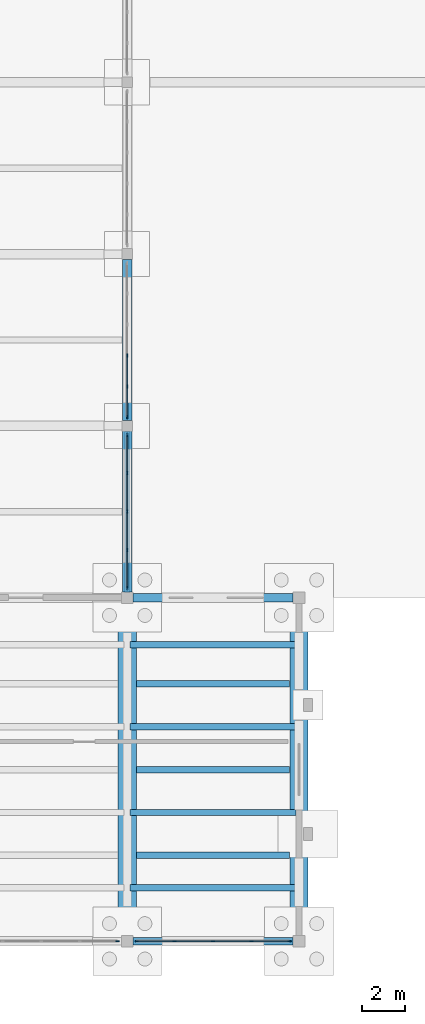
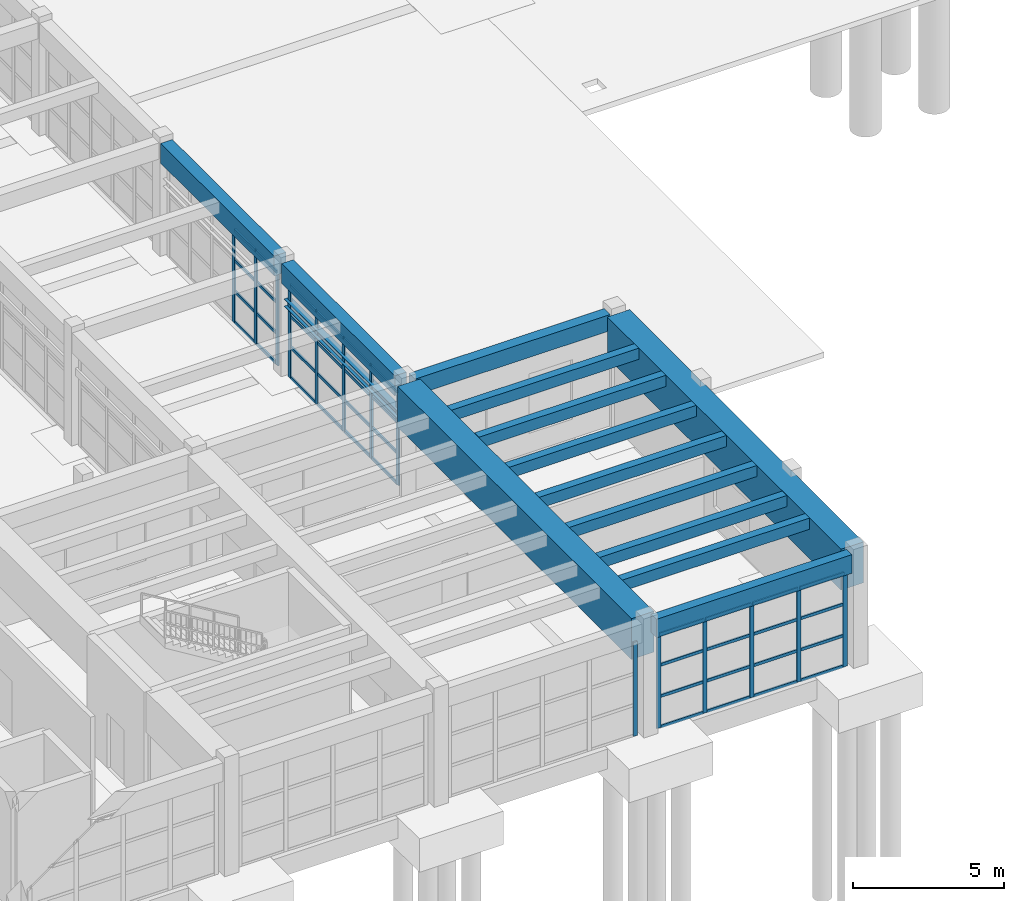
# One storey, part 30 of 68: 54 members, 14 beams, 4 elements without a shape of their own.
"""IFC4 building model written with IfcOpenShell, lengths in metres."""

from ifc_helpers import new_model, si_unit, direction, frame, origin, origin_2d, place, context, subcontext, project, spatial, rectangle, i_section, extrude, material, material_profile, profile_set, type_object, element, aggregate, save


model = new_model("IFC4")

# Units and contexts
model_context = context("Model", 3, precision=1e-05, world=origin(), true_north=direction((0.0, 1.0)))
body_context = subcontext(model_context, "Body", "Model", "MODEL_VIEW")
ifc_project = project(units=[si_unit("LENGTHUNIT", "METRE"), si_unit("AREAUNIT", "SQUARE_METRE"), si_unit("VOLUMEUNIT", "CUBIC_METRE"), si_unit("PLANEANGLEUNIT", "RADIAN"), si_unit("MASSUNIT", "GRAM", prefix="KILO")], contexts=[model_context])

# Site, building, storey
site_placement = place(None, origin())
site = spatial("IfcSite", under=ifc_project, at=site_placement, CompositionType="ELEMENT")
building_placement = place(site_placement, origin())
building = spatial("IfcBuilding", under=site, at=building_placement, Name="Serraluz Foothill Cableway Terminal", CompositionType="ELEMENT")
storey_placement = place(building_placement, origin())
storey = spatial("IfcBuildingStorey", under=building, at=storey_placement, Name="L00", CompositionType="ELEMENT", Elevation=0.0)

# Beams
ifc_material_1 = material(Name="Concrete C28/35 (f'c 28 MPa)", Category="concrete")
ifc_material_profile_1 = material_profile(ifc_material_1, rectangle(XDim=0.39990234375, YDim=0.64990234375, at=origin_2d()), Name="RC 400x650")
ifc_profile_set_1 = profile_set([ifc_material_profile_1], Name="Concrete C28/35 (f'c 28 MPa)")
beam_type_1 = type_object("IfcBeamType", Name="TYP-BM-RC400X650", PredefinedType="BEAM", material=ifc_profile_set_1)
beam_1_placement = place(storey_placement, frame((128.27099609375, 16.0, 4.215087890625), z_axis=(1.0, 0.0, 0.0), x_axis=(0.0, 1.0, 0.0)))
element("IfcBeam", 1, at=beam_1_placement, inside=storey, type_object=beam_type_1, Name="Primary Girder BM-X-L00-0047", PredefinedType="BEAM", context=body_context, shape_type="SweptSolid", body=[
    extrude(rectangle(XDim=0.39990234375, YDim=0.64990234375, at=origin_2d()), origin(), (0.0, 0.0, 1.0), 7.4580078125),
])
ifc_material_2 = material(Name="Concrete C35/45 (f'c 35 MPa)", Category="concrete")
ifc_material_profile_2 = material_profile(ifc_material_2, rectangle(XDim=0.449951171875, YDim=0.800048828125, at=origin_2d()), Name="RC 450x800")
ifc_profile_set_2 = profile_set([ifc_material_profile_2], Name="Concrete C35/45 (f'c 35 MPa)")
beam_type_2 = type_object("IfcBeamType", Name="TYP-BM-RC450X800", PredefinedType="BEAM", material=ifc_profile_set_2)
beam_2_placement = place(storey_placement, frame((128.0, 16.27099609375, 4.159912109375), z_axis=(0.0, 1.0, 0.0), x_axis=(-1.0, 0.0, 0.0)))
element("IfcBeam", 2, at=beam_2_placement, inside=storey, type_object=beam_type_2, Name="Transverse Girder BM-Y-L00-0164", PredefinedType="BEAM", context=body_context, shape_type="SweptSolid", body=[
    extrude(rectangle(XDim=0.449951171875, YDim=0.800048828125, at=origin_2d()), origin(), (0.0, 0.0, 1.0), 7.48291015625),
])
beam_3_placement = place(storey_placement, frame((128.0, 24.24609375, 4.159912109375), z_axis=(0.0, 1.0, 0.0), x_axis=(-1.0, 0.0, 0.0)))
element("IfcBeam", 3, at=beam_3_placement, inside=storey, type_object=beam_type_2, Name="Transverse Girder BM-Y-L00-0165", PredefinedType="BEAM", context=body_context, shape_type="SweptSolid", body=[
    extrude(rectangle(XDim=0.449951171875, YDim=0.800048828125, at=origin_2d()), origin(), (0.0, 0.0, 1.0), 7.5078125),
])
ifc_material_profile_3 = material_profile(ifc_material_2, rectangle(XDim=0.85009765625, YDim=1.64990234375, at=origin_2d()), Name="RC TG 850x1650")
ifc_profile_set_3 = profile_set([ifc_material_profile_3], Name="Concrete C35/45 (f'c 35 MPa)")
beam_type_3 = type_object("IfcBeamType", Name="TYP-BM-RCTG1650", PredefinedType="BEAM", material=ifc_profile_set_3)
for number, where, z_axis, x_axis, name in (
    (4, (128.0, 0.27099609375, 3.715087890625), (0.0, 1.0, 0.0), (-1.0, 0.0, 0.0), "Transverse Girder BM-Y-L00-0163"),
    (5, (136.0, 0.27099609375, 3.715087890625), (0.0, 1.0, 0.0), (-1.0, 0.0, 0.0), "Transverse Girder BM-Y-L00-0170"),
):
    element("IfcBeam", number, at=place(storey_placement, frame(where, z_axis=z_axis, x_axis=x_axis)), inside=storey, type_object=beam_type_3, Name=name, PredefinedType="BEAM", context=body_context, shape_type="SweptSolid", body=[
        extrude(rectangle(XDim=0.85009765625, YDim=1.64990234375, at=origin_2d()), origin(), (0.0, 0.0, 1.0), 15.4580078125),
    ])

# Curtain wall, member
ifc_material_3 = material(Name="Architectural bronze alloy C28000", Category="aluminium")
curtain_wall_type_1 = type_object("IfcCurtainWallType", Name="TYP-CW-440X360", PredefinedType="NOTDEFINED", material=ifc_material_3)
curtain_wall_1_placement = place(storey_placement, origin())
curtain_wall_1 = element("IfcCurtainWall", 6, at=curtain_wall_1_placement, inside=storey, type_object=curtain_wall_type_1, Name="Ribbed Glazed Curtain Wall CW-V3S-L00-120", PredefinedType="NOTDEFINED")
ifc_material_profile_4 = material_profile(ifc_material_3, rectangle(XDim=0.06005859375, YDim=0.159912109375, at=origin_2d()), Name="ALU MULLION 60x160")
ifc_profile_set_4 = profile_set([ifc_material_profile_4], Name="Architectural bronze alloy C28000")
member_type_1 = type_object("IfcMemberType", Name="TYP-CW-MUL-60X160", PredefinedType="MULLION", material=ifc_profile_set_4)
member_1_placement = place(storey_placement, frame((127.554931640625, 0.0, 0.0), z_axis=(0.0, 0.0, 1.0), x_axis=(0.0, -1.0, 0.0)))
member_1 = element("IfcMember", 7, at=member_1_placement, type_object=member_type_1, Name="CW-16 mullion 1", PredefinedType="MULLION", context=body_context, shape_type="SweptSolid", body=[
    extrude(rectangle(XDim=0.06005859375, YDim=0.159912109375, at=origin_2d()), origin(), (0.0, 0.0, 1.0), 3.7900390625),
])
aggregate(curtain_wall_1, [member_1])

# Curtain wall, members
curtain_wall_type_2 = type_object("IfcCurtainWallType", Name="TYP-CW-380X420", PredefinedType="NOTDEFINED", material=ifc_material_3)
curtain_wall_2_placement = place(storey_placement, origin())
curtain_wall_2 = element("IfcCurtainWall", 8, at=curtain_wall_2_placement, inside=storey, type_object=curtain_wall_type_2, Name="Ribbed Glazed Curtain Wall CW-V3S-L00-128", PredefinedType="NOTDEFINED")
member_2_placement = place(storey_placement, frame((135.554931640625, 0.0, 0.0), z_axis=(0.0, 0.0, 1.0), x_axis=(0.0, -1.0, 0.0)))
member_2 = element("IfcMember", 9, at=member_2_placement, type_object=member_type_1, Name="CW-17 mullion 1", PredefinedType="MULLION", context=body_context, shape_type="SweptSolid", body=[
    extrude(rectangle(XDim=0.06005859375, YDim=0.159912109375, at=origin_2d()), origin(), (0.0, 0.0, 1.0), 3.7900390625),
])
member_3_placement = place(storey_placement, frame((133.79248046875, 0.0, 0.0), z_axis=(0.0, 0.0, 1.0), x_axis=(0.0, -1.0, 0.0)))
member_3 = element("IfcMember", 10, at=member_3_placement, type_object=member_type_1, Name="CW-17 mullion 2", PredefinedType="MULLION", context=body_context, shape_type="SweptSolid", body=[
    extrude(rectangle(XDim=0.06005859375, YDim=0.159912109375, at=origin_2d()), origin(), (0.0, 0.0, 1.0), 3.7900390625),
])
member_4_placement = place(storey_placement, frame((132.0, 0.0, 0.0), z_axis=(0.0, 0.0, 1.0), x_axis=(0.0, -1.0, 0.0)))
member_4 = element("IfcMember", 11, at=member_4_placement, type_object=member_type_1, Name="CW-17 mullion 3", PredefinedType="MULLION", context=body_context, shape_type="SweptSolid", body=[
    extrude(rectangle(XDim=0.06005859375, YDim=0.159912109375, at=origin_2d()), origin(), (0.0, 0.0, 1.0), 3.7900390625),
])
member_5_placement = place(storey_placement, frame((130.20751953125, 0.0, 0.0), z_axis=(0.0, 0.0, 1.0), x_axis=(0.0, -1.0, 0.0)))
member_5 = element("IfcMember", 12, at=member_5_placement, type_object=member_type_1, Name="CW-17 mullion 4", PredefinedType="MULLION", context=body_context, shape_type="SweptSolid", body=[
    extrude(rectangle(XDim=0.06005859375, YDim=0.159912109375, at=origin_2d()), origin(), (0.0, 0.0, 1.0), 3.7900390625),
])
member_6_placement = place(storey_placement, frame((128.445068359375, 0.0, 0.0), z_axis=(0.0, 0.0, 1.0), x_axis=(0.0, -1.0, 0.0)))
member_6 = element("IfcMember", 13, at=member_6_placement, type_object=member_type_1, Name="CW-17 mullion 5", PredefinedType="MULLION", context=body_context, shape_type="SweptSolid", body=[
    extrude(rectangle(XDim=0.06005859375, YDim=0.159912109375, at=origin_2d()), origin(), (0.0, 0.0, 1.0), 3.7900390625),
])

curtain_wall_type_3 = type_object("IfcCurtainWallType", Name="TYP-CW-710X420", PredefinedType="NOTDEFINED", material=ifc_material_3)
curtain_wall_3_placement = place(storey_placement, origin())
curtain_wall_3 = element("IfcCurtainWall", 14, at=curtain_wall_3_placement, inside=storey, type_object=curtain_wall_type_3, Name="Ribbed Glazed Curtain Wall CW-CLE-L00-16", PredefinedType="NOTDEFINED")
member_7_placement = place(storey_placement, frame((128.0, 23.580078125, 0.0), z_axis=(0.0, 0.0, 1.0), x_axis=(1.0, 0.0, 0.0)))
member_7 = element("IfcMember", 15, at=member_7_placement, type_object=member_type_1, Name="CW-01 mullion 1", PredefinedType="MULLION", context=body_context, shape_type="SweptSolid", body=[
    extrude(rectangle(XDim=0.06005859375, YDim=0.159912109375, at=origin_2d()), origin(), (0.0, 0.0, 1.0), 3.760009765625),
])
member_8_placement = place(storey_placement, frame((128.0, 21.811279296875, 0.0), z_axis=(0.0, 0.0, 1.0), x_axis=(1.0, 0.0, 0.0)))
member_8 = element("IfcMember", 16, at=member_8_placement, type_object=member_type_1, Name="CW-01 mullion 2", PredefinedType="MULLION", context=body_context, shape_type="SweptSolid", body=[
    extrude(rectangle(XDim=0.06005859375, YDim=0.159912109375, at=origin_2d()), origin(), (0.0, 0.0, 1.0), 3.760009765625),
])
member_9_placement = place(storey_placement, frame((128.0, 20.012451171875, 0.0), z_axis=(0.0, 0.0, 1.0), x_axis=(1.0, 0.0, 0.0)))
member_9 = element("IfcMember", 17, at=member_9_placement, type_object=member_type_1, Name="CW-01 mullion 3", PredefinedType="MULLION", context=body_context, shape_type="SweptSolid", body=[
    extrude(rectangle(XDim=0.06005859375, YDim=0.159912109375, at=origin_2d()), origin(), (0.0, 0.0, 1.0), 3.760009765625),
])
member_10_placement = place(storey_placement, frame((128.0, 18.2138671875, 0.0), z_axis=(0.0, 0.0, 1.0), x_axis=(1.0, 0.0, 0.0)))
member_10 = element("IfcMember", 18, at=member_10_placement, type_object=member_type_1, Name="CW-01 mullion 4", PredefinedType="MULLION", context=body_context, shape_type="SweptSolid", body=[
    extrude(rectangle(XDim=0.06005859375, YDim=0.159912109375, at=origin_2d()), origin(), (0.0, 0.0, 1.0), 3.760009765625),
])
member_11_placement = place(storey_placement, frame((128.0, 16.445068359375, 0.0), z_axis=(0.0, 0.0, 1.0), x_axis=(1.0, 0.0, 0.0)))
member_11 = element("IfcMember", 19, at=member_11_placement, type_object=member_type_1, Name="CW-01 mullion 5", PredefinedType="MULLION", context=body_context, shape_type="SweptSolid", body=[
    extrude(rectangle(XDim=0.06005859375, YDim=0.159912109375, at=origin_2d()), origin(), (0.0, 0.0, 1.0), 3.760009765625),
])

curtain_wall_4_placement = place(storey_placement, origin())
curtain_wall_4 = element("IfcCurtainWall", 20, at=curtain_wall_4_placement, inside=storey, type_object=curtain_wall_type_3, Name="Ribbed Glazed Curtain Wall CW-CLE-L00-24", PredefinedType="NOTDEFINED")
member_12_placement = place(storey_placement, frame((128.0, 27.278076171875, 0.0), z_axis=(0.0, 0.0, 1.0), x_axis=(1.0, 0.0, 0.0)))
member_12 = element("IfcMember", 21, at=member_12_placement, type_object=member_type_1, Name="CW-01 mullion 4", PredefinedType="MULLION", context=body_context, shape_type="SweptSolid", body=[
    extrude(rectangle(XDim=0.06005859375, YDim=0.159912109375, at=origin_2d()), origin(), (0.0, 0.0, 1.0), 3.760009765625),
])
member_13_placement = place(storey_placement, frame((128.0, 25.833984375, 0.0), z_axis=(0.0, 0.0, 1.0), x_axis=(1.0, 0.0, 0.0)))
member_13 = element("IfcMember", 22, at=member_13_placement, type_object=member_type_1, Name="CW-01 mullion 5", PredefinedType="MULLION", context=body_context, shape_type="SweptSolid", body=[
    extrude(rectangle(XDim=0.06005859375, YDim=0.159912109375, at=origin_2d()), origin(), (0.0, 0.0, 1.0), 3.760009765625),
])
member_14_placement = place(storey_placement, frame((128.0, 24.419921875, 0.0), z_axis=(0.0, 0.0, 1.0), x_axis=(1.0, 0.0, 0.0)))
member_14 = element("IfcMember", 23, at=member_14_placement, type_object=member_type_1, Name="CW-01 mullion 6", PredefinedType="MULLION", context=body_context, shape_type="SweptSolid", body=[
    extrude(rectangle(XDim=0.06005859375, YDim=0.159912109375, at=origin_2d()), origin(), (0.0, 0.0, 1.0), 3.760009765625),
])

# Member
ifc_material_profile_5 = material_profile(ifc_material_3, rectangle(XDim=0.06005859375, YDim=0.1201171875, at=origin_2d()), Name="ALU TRANSOM 60x120")
ifc_profile_set_5 = profile_set([ifc_material_profile_5], Name="Architectural bronze alloy C28000")
member_type_2 = type_object("IfcMemberType", Name="TYP-CW-TRN-60X120", PredefinedType="USERDEFINED", material=ifc_profile_set_5)
member_15_placement = place(storey_placement, frame((135.52490234375, 0.0, 0.030029296875), z_axis=(-1.0, 0.0, 0.0), x_axis=(0.0, -1.0, 0.0)))
member_15 = element("IfcMember", 24, at=member_15_placement, type_object=member_type_2, Name="CW-17 transom 1.1", ObjectType="TRANSOM", PredefinedType="USERDEFINED", context=body_context, shape_type="SweptSolid", body=[
    extrude(rectangle(XDim=0.06005859375, YDim=0.1201171875, at=origin_2d()), origin(), (0.0, 0.0, 1.0), 1.702392578125),
])

member_16_placement = place(storey_placement, frame((135.52490234375, 0.0, 1.26318359375), z_axis=(-1.0, 0.0, 0.0), x_axis=(0.0, -1.0, 0.0)))
member_16 = element("IfcMember", 25, at=member_16_placement, type_object=member_type_2, Name="CW-17 transom 1.2", ObjectType="TRANSOM", PredefinedType="USERDEFINED", context=body_context, shape_type="SweptSolid", body=[
    extrude(rectangle(XDim=0.06005859375, YDim=0.1201171875, at=origin_2d()), origin(), (0.0, 0.0, 1.0), 1.702392578125),
])

member_17_placement = place(storey_placement, frame((135.52490234375, 0.0, 2.526611328125), z_axis=(-1.0, 0.0, 0.0), x_axis=(0.0, -1.0, 0.0)))
member_17 = element("IfcMember", 26, at=member_17_placement, type_object=member_type_2, Name="CW-17 transom 1.3", ObjectType="TRANSOM", PredefinedType="USERDEFINED", context=body_context, shape_type="SweptSolid", body=[
    extrude(rectangle(XDim=0.06005859375, YDim=0.1201171875, at=origin_2d()), origin(), (0.0, 0.0, 1.0), 1.702392578125),
])

member_18_placement = place(storey_placement, frame((135.52490234375, 0.0, 3.760009765625), z_axis=(-1.0, 0.0, 0.0), x_axis=(0.0, -1.0, 0.0)))
member_18 = element("IfcMember", 27, at=member_18_placement, type_object=member_type_2, Name="CW-17 transom 1.4", ObjectType="TRANSOM", PredefinedType="USERDEFINED", context=body_context, shape_type="SweptSolid", body=[
    extrude(rectangle(XDim=0.06005859375, YDim=0.1201171875, at=origin_2d()), origin(), (0.0, 0.0, 1.0), 1.702392578125),
])

member_19_placement = place(storey_placement, frame((133.762451171875, 0.0, 0.030029296875), z_axis=(-1.0, 0.0, 0.0), x_axis=(0.0, -1.0, 0.0)))
member_19 = element("IfcMember", 28, at=member_19_placement, type_object=member_type_2, Name="CW-17 transom 2.1", ObjectType="TRANSOM", PredefinedType="USERDEFINED", context=body_context, shape_type="SweptSolid", body=[
    extrude(rectangle(XDim=0.06005859375, YDim=0.1201171875, at=origin_2d()), origin(), (0.0, 0.0, 1.0), 1.732421875),
])

member_20_placement = place(storey_placement, frame((133.762451171875, 0.0, 1.26318359375), z_axis=(-1.0, 0.0, 0.0), x_axis=(0.0, -1.0, 0.0)))
member_20 = element("IfcMember", 29, at=member_20_placement, type_object=member_type_2, Name="CW-17 transom 2.2", ObjectType="TRANSOM", PredefinedType="USERDEFINED", context=body_context, shape_type="SweptSolid", body=[
    extrude(rectangle(XDim=0.06005859375, YDim=0.1201171875, at=origin_2d()), origin(), (0.0, 0.0, 1.0), 1.732421875),
])

member_21_placement = place(storey_placement, frame((133.762451171875, 0.0, 2.526611328125), z_axis=(-1.0, 0.0, 0.0), x_axis=(0.0, -1.0, 0.0)))
member_21 = element("IfcMember", 30, at=member_21_placement, type_object=member_type_2, Name="CW-17 transom 2.3", ObjectType="TRANSOM", PredefinedType="USERDEFINED", context=body_context, shape_type="SweptSolid", body=[
    extrude(rectangle(XDim=0.06005859375, YDim=0.1201171875, at=origin_2d()), origin(), (0.0, 0.0, 1.0), 1.732421875),
])

member_22_placement = place(storey_placement, frame((133.762451171875, 0.0, 3.760009765625), z_axis=(-1.0, 0.0, 0.0), x_axis=(0.0, -1.0, 0.0)))
member_22 = element("IfcMember", 31, at=member_22_placement, type_object=member_type_2, Name="CW-17 transom 2.4", ObjectType="TRANSOM", PredefinedType="USERDEFINED", context=body_context, shape_type="SweptSolid", body=[
    extrude(rectangle(XDim=0.06005859375, YDim=0.1201171875, at=origin_2d()), origin(), (0.0, 0.0, 1.0), 1.732421875),
])

member_23_placement = place(storey_placement, frame((131.969970703125, 0.0, 0.030029296875), z_axis=(-1.0, 0.0, 0.0), x_axis=(0.0, -1.0, 0.0)))
member_23 = element("IfcMember", 32, at=member_23_placement, type_object=member_type_2, Name="CW-17 transom 3.1", ObjectType="TRANSOM", PredefinedType="USERDEFINED", context=body_context, shape_type="SweptSolid", body=[
    extrude(rectangle(XDim=0.06005859375, YDim=0.1201171875, at=origin_2d()), origin(), (0.0, 0.0, 1.0), 1.732421875),
])

member_24_placement = place(storey_placement, frame((131.969970703125, 0.0, 1.26318359375), z_axis=(-1.0, 0.0, 0.0), x_axis=(0.0, -1.0, 0.0)))
member_24 = element("IfcMember", 33, at=member_24_placement, type_object=member_type_2, Name="CW-17 transom 3.2", ObjectType="TRANSOM", PredefinedType="USERDEFINED", context=body_context, shape_type="SweptSolid", body=[
    extrude(rectangle(XDim=0.06005859375, YDim=0.1201171875, at=origin_2d()), origin(), (0.0, 0.0, 1.0), 1.732421875),
])

member_25_placement = place(storey_placement, frame((131.969970703125, 0.0, 2.526611328125), z_axis=(-1.0, 0.0, 0.0), x_axis=(0.0, -1.0, 0.0)))
member_25 = element("IfcMember", 34, at=member_25_placement, type_object=member_type_2, Name="CW-17 transom 3.3", ObjectType="TRANSOM", PredefinedType="USERDEFINED", context=body_context, shape_type="SweptSolid", body=[
    extrude(rectangle(XDim=0.06005859375, YDim=0.1201171875, at=origin_2d()), origin(), (0.0, 0.0, 1.0), 1.732421875),
])

member_26_placement = place(storey_placement, frame((131.969970703125, 0.0, 3.760009765625), z_axis=(-1.0, 0.0, 0.0), x_axis=(0.0, -1.0, 0.0)))
member_26 = element("IfcMember", 35, at=member_26_placement, type_object=member_type_2, Name="CW-17 transom 3.4", ObjectType="TRANSOM", PredefinedType="USERDEFINED", context=body_context, shape_type="SweptSolid", body=[
    extrude(rectangle(XDim=0.06005859375, YDim=0.1201171875, at=origin_2d()), origin(), (0.0, 0.0, 1.0), 1.732421875),
])

member_27_placement = place(storey_placement, frame((130.177490234375, 0.0, 0.030029296875), z_axis=(-1.0, 0.0, 0.0), x_axis=(0.0, -1.0, 0.0)))
member_27 = element("IfcMember", 36, at=member_27_placement, type_object=member_type_2, Name="CW-17 transom 4.1", ObjectType="TRANSOM", PredefinedType="USERDEFINED", context=body_context, shape_type="SweptSolid", body=[
    extrude(rectangle(XDim=0.06005859375, YDim=0.1201171875, at=origin_2d()), origin(), (0.0, 0.0, 1.0), 1.702392578125),
])

member_28_placement = place(storey_placement, frame((130.177490234375, 0.0, 1.26318359375), z_axis=(-1.0, 0.0, 0.0), x_axis=(0.0, -1.0, 0.0)))
member_28 = element("IfcMember", 37, at=member_28_placement, type_object=member_type_2, Name="CW-17 transom 4.2", ObjectType="TRANSOM", PredefinedType="USERDEFINED", context=body_context, shape_type="SweptSolid", body=[
    extrude(rectangle(XDim=0.06005859375, YDim=0.1201171875, at=origin_2d()), origin(), (0.0, 0.0, 1.0), 1.702392578125),
])

member_29_placement = place(storey_placement, frame((130.177490234375, 0.0, 2.526611328125), z_axis=(-1.0, 0.0, 0.0), x_axis=(0.0, -1.0, 0.0)))
member_29 = element("IfcMember", 38, at=member_29_placement, type_object=member_type_2, Name="CW-17 transom 4.3", ObjectType="TRANSOM", PredefinedType="USERDEFINED", context=body_context, shape_type="SweptSolid", body=[
    extrude(rectangle(XDim=0.06005859375, YDim=0.1201171875, at=origin_2d()), origin(), (0.0, 0.0, 1.0), 1.702392578125),
])

member_30_placement = place(storey_placement, frame((130.177490234375, 0.0, 3.760009765625), z_axis=(-1.0, 0.0, 0.0), x_axis=(0.0, -1.0, 0.0)))
member_30 = element("IfcMember", 39, at=member_30_placement, type_object=member_type_2, Name="CW-17 transom 4.4", ObjectType="TRANSOM", PredefinedType="USERDEFINED", context=body_context, shape_type="SweptSolid", body=[
    extrude(rectangle(XDim=0.06005859375, YDim=0.1201171875, at=origin_2d()), origin(), (0.0, 0.0, 1.0), 1.702392578125),
])

aggregate(curtain_wall_2, [member_2, member_3, member_4, member_5, member_6, member_15, member_16, member_17, member_18, member_19, member_20, member_21, member_22, member_23, member_24, member_25, member_26, member_27, member_28, member_29, member_30])

member_31_placement = place(storey_placement, frame((128.0, 23.550048828125, 0.030029296875), z_axis=(0.0, -1.0, 0.0), x_axis=(1.0, 0.0, 0.0)))
member_31 = element("IfcMember", 40, at=member_31_placement, type_object=member_type_2, Name="CW-01 transom 1.1", ObjectType="TRANSOM", PredefinedType="USERDEFINED", context=body_context, shape_type="SweptSolid", body=[
    extrude(rectangle(XDim=0.06005859375, YDim=0.1201171875, at=origin_2d()), origin(), (0.0, 0.0, 1.0), 1.708740234375),
])

member_32_placement = place(storey_placement, frame((128.0, 23.550048828125, 1.25341796875), z_axis=(0.0, -1.0, 0.0), x_axis=(1.0, 0.0, 0.0)))
member_32 = element("IfcMember", 41, at=member_32_placement, type_object=member_type_2, Name="CW-01 transom 1.2", ObjectType="TRANSOM", PredefinedType="USERDEFINED", context=body_context, shape_type="SweptSolid", body=[
    extrude(rectangle(XDim=0.06005859375, YDim=0.1201171875, at=origin_2d()), origin(), (0.0, 0.0, 1.0), 1.708740234375),
])

member_33_placement = place(storey_placement, frame((128.0, 23.550048828125, 2.506591796875), z_axis=(0.0, -1.0, 0.0), x_axis=(1.0, 0.0, 0.0)))
member_33 = element("IfcMember", 42, at=member_33_placement, type_object=member_type_2, Name="CW-01 transom 1.3", ObjectType="TRANSOM", PredefinedType="USERDEFINED", context=body_context, shape_type="SweptSolid", body=[
    extrude(rectangle(XDim=0.06005859375, YDim=0.1201171875, at=origin_2d()), origin(), (0.0, 0.0, 1.0), 1.708740234375),
])

member_34_placement = place(storey_placement, frame((128.0, 23.550048828125, 3.72998046875), z_axis=(0.0, -1.0, 0.0), x_axis=(1.0, 0.0, 0.0)))
member_34 = element("IfcMember", 43, at=member_34_placement, type_object=member_type_2, Name="CW-01 transom 1.4", ObjectType="TRANSOM", PredefinedType="USERDEFINED", context=body_context, shape_type="SweptSolid", body=[
    extrude(rectangle(XDim=0.06005859375, YDim=0.1201171875, at=origin_2d()), origin(), (0.0, 0.0, 1.0), 1.708740234375),
])

member_35_placement = place(storey_placement, frame((128.0, 21.78125, 0.030029296875), z_axis=(0.0, -1.0, 0.0), x_axis=(1.0, 0.0, 0.0)))
member_35 = element("IfcMember", 44, at=member_35_placement, type_object=member_type_2, Name="CW-01 transom 2.1", ObjectType="TRANSOM", PredefinedType="USERDEFINED", context=body_context, shape_type="SweptSolid", body=[
    extrude(rectangle(XDim=0.06005859375, YDim=0.1201171875, at=origin_2d()), origin(), (0.0, 0.0, 1.0), 1.73876953125),
])

member_36_placement = place(storey_placement, frame((128.0, 21.78125, 1.25341796875), z_axis=(0.0, -1.0, 0.0), x_axis=(1.0, 0.0, 0.0)))
member_36 = element("IfcMember", 45, at=member_36_placement, type_object=member_type_2, Name="CW-01 transom 2.2", ObjectType="TRANSOM", PredefinedType="USERDEFINED", context=body_context, shape_type="SweptSolid", body=[
    extrude(rectangle(XDim=0.06005859375, YDim=0.1201171875, at=origin_2d()), origin(), (0.0, 0.0, 1.0), 1.73876953125),
])

member_37_placement = place(storey_placement, frame((128.0, 21.78125, 2.506591796875), z_axis=(0.0, -1.0, 0.0), x_axis=(1.0, 0.0, 0.0)))
member_37 = element("IfcMember", 46, at=member_37_placement, type_object=member_type_2, Name="CW-01 transom 2.3", ObjectType="TRANSOM", PredefinedType="USERDEFINED", context=body_context, shape_type="SweptSolid", body=[
    extrude(rectangle(XDim=0.06005859375, YDim=0.1201171875, at=origin_2d()), origin(), (0.0, 0.0, 1.0), 1.73876953125),
])

member_38_placement = place(storey_placement, frame((128.0, 21.78125, 3.72998046875), z_axis=(0.0, -1.0, 0.0), x_axis=(1.0, 0.0, 0.0)))
member_38 = element("IfcMember", 47, at=member_38_placement, type_object=member_type_2, Name="CW-01 transom 2.4", ObjectType="TRANSOM", PredefinedType="USERDEFINED", context=body_context, shape_type="SweptSolid", body=[
    extrude(rectangle(XDim=0.06005859375, YDim=0.1201171875, at=origin_2d()), origin(), (0.0, 0.0, 1.0), 1.73876953125),
])

member_39_placement = place(storey_placement, frame((128.0, 19.982421875, 0.030029296875), z_axis=(0.0, -1.0, 0.0), x_axis=(1.0, 0.0, 0.0)))
member_39 = element("IfcMember", 48, at=member_39_placement, type_object=member_type_2, Name="CW-01 transom 3.1", ObjectType="TRANSOM", PredefinedType="USERDEFINED", context=body_context, shape_type="SweptSolid", body=[
    extrude(rectangle(XDim=0.06005859375, YDim=0.1201171875, at=origin_2d()), origin(), (0.0, 0.0, 1.0), 1.73876953125),
])

member_40_placement = place(storey_placement, frame((128.0, 19.982421875, 1.25341796875), z_axis=(0.0, -1.0, 0.0), x_axis=(1.0, 0.0, 0.0)))
member_40 = element("IfcMember", 49, at=member_40_placement, type_object=member_type_2, Name="CW-01 transom 3.2", ObjectType="TRANSOM", PredefinedType="USERDEFINED", context=body_context, shape_type="SweptSolid", body=[
    extrude(rectangle(XDim=0.06005859375, YDim=0.1201171875, at=origin_2d()), origin(), (0.0, 0.0, 1.0), 1.73876953125),
])

member_41_placement = place(storey_placement, frame((128.0, 19.982421875, 2.506591796875), z_axis=(0.0, -1.0, 0.0), x_axis=(1.0, 0.0, 0.0)))
member_41 = element("IfcMember", 50, at=member_41_placement, type_object=member_type_2, Name="CW-01 transom 3.3", ObjectType="TRANSOM", PredefinedType="USERDEFINED", context=body_context, shape_type="SweptSolid", body=[
    extrude(rectangle(XDim=0.06005859375, YDim=0.1201171875, at=origin_2d()), origin(), (0.0, 0.0, 1.0), 1.73876953125),
])

member_42_placement = place(storey_placement, frame((128.0, 19.982421875, 3.72998046875), z_axis=(0.0, -1.0, 0.0), x_axis=(1.0, 0.0, 0.0)))
member_42 = element("IfcMember", 51, at=member_42_placement, type_object=member_type_2, Name="CW-01 transom 3.4", ObjectType="TRANSOM", PredefinedType="USERDEFINED", context=body_context, shape_type="SweptSolid", body=[
    extrude(rectangle(XDim=0.06005859375, YDim=0.1201171875, at=origin_2d()), origin(), (0.0, 0.0, 1.0), 1.73876953125),
])

member_43_placement = place(storey_placement, frame((128.0, 18.183837890625, 0.030029296875), z_axis=(0.0, -1.0, 0.0), x_axis=(1.0, 0.0, 0.0)))
member_43 = element("IfcMember", 52, at=member_43_placement, type_object=member_type_2, Name="CW-01 transom 4.1", ObjectType="TRANSOM", PredefinedType="USERDEFINED", context=body_context, shape_type="SweptSolid", body=[
    extrude(rectangle(XDim=0.06005859375, YDim=0.1201171875, at=origin_2d()), origin(), (0.0, 0.0, 1.0), 1.708740234375),
])

member_44_placement = place(storey_placement, frame((128.0, 18.183837890625, 1.25341796875), z_axis=(0.0, -1.0, 0.0), x_axis=(1.0, 0.0, 0.0)))
member_44 = element("IfcMember", 53, at=member_44_placement, type_object=member_type_2, Name="CW-01 transom 4.2", ObjectType="TRANSOM", PredefinedType="USERDEFINED", context=body_context, shape_type="SweptSolid", body=[
    extrude(rectangle(XDim=0.06005859375, YDim=0.1201171875, at=origin_2d()), origin(), (0.0, 0.0, 1.0), 1.708740234375),
])

member_45_placement = place(storey_placement, frame((128.0, 18.183837890625, 2.506591796875), z_axis=(0.0, -1.0, 0.0), x_axis=(1.0, 0.0, 0.0)))
member_45 = element("IfcMember", 54, at=member_45_placement, type_object=member_type_2, Name="CW-01 transom 4.3", ObjectType="TRANSOM", PredefinedType="USERDEFINED", context=body_context, shape_type="SweptSolid", body=[
    extrude(rectangle(XDim=0.06005859375, YDim=0.1201171875, at=origin_2d()), origin(), (0.0, 0.0, 1.0), 1.708740234375),
])

member_46_placement = place(storey_placement, frame((128.0, 18.183837890625, 3.72998046875), z_axis=(0.0, -1.0, 0.0), x_axis=(1.0, 0.0, 0.0)))
member_46 = element("IfcMember", 55, at=member_46_placement, type_object=member_type_2, Name="CW-01 transom 4.4", ObjectType="TRANSOM", PredefinedType="USERDEFINED", context=body_context, shape_type="SweptSolid", body=[
    extrude(rectangle(XDim=0.06005859375, YDim=0.1201171875, at=origin_2d()), origin(), (0.0, 0.0, 1.0), 1.708740234375),
])

aggregate(curtain_wall_3, [member_7, member_8, member_9, member_10, member_11, member_31, member_32, member_33, member_34, member_35, member_36, member_37, member_38, member_39, member_40, member_41, member_42, member_43, member_44, member_45, member_46])

member_47_placement = place(storey_placement, frame((128.0, 27.248046875, 0.030029296875), z_axis=(0.0, -1.0, 0.0), x_axis=(1.0, 0.0, 0.0)))
member_47 = element("IfcMember", 56, at=member_47_placement, type_object=member_type_2, Name="CW-01 transom 4.1", ObjectType="TRANSOM", PredefinedType="USERDEFINED", context=body_context, shape_type="SweptSolid", body=[
    extrude(rectangle(XDim=0.06005859375, YDim=0.1201171875, at=origin_2d()), origin(), (0.0, 0.0, 1.0), 1.384033203125),
])

member_48_placement = place(storey_placement, frame((128.0, 27.248046875, 1.25341796875), z_axis=(0.0, -1.0, 0.0), x_axis=(1.0, 0.0, 0.0)))
member_48 = element("IfcMember", 57, at=member_48_placement, type_object=member_type_2, Name="CW-01 transom 4.2", ObjectType="TRANSOM", PredefinedType="USERDEFINED", context=body_context, shape_type="SweptSolid", body=[
    extrude(rectangle(XDim=0.06005859375, YDim=0.1201171875, at=origin_2d()), origin(), (0.0, 0.0, 1.0), 1.384033203125),
])

member_49_placement = place(storey_placement, frame((128.0, 27.248046875, 2.506591796875), z_axis=(0.0, -1.0, 0.0), x_axis=(1.0, 0.0, 0.0)))
member_49 = element("IfcMember", 58, at=member_49_placement, type_object=member_type_2, Name="CW-01 transom 4.3", ObjectType="TRANSOM", PredefinedType="USERDEFINED", context=body_context, shape_type="SweptSolid", body=[
    extrude(rectangle(XDim=0.06005859375, YDim=0.1201171875, at=origin_2d()), origin(), (0.0, 0.0, 1.0), 1.384033203125),
])

member_50_placement = place(storey_placement, frame((128.0, 27.248046875, 3.72998046875), z_axis=(0.0, -1.0, 0.0), x_axis=(1.0, 0.0, 0.0)))
member_50 = element("IfcMember", 59, at=member_50_placement, type_object=member_type_2, Name="CW-01 transom 4.4", ObjectType="TRANSOM", PredefinedType="USERDEFINED", context=body_context, shape_type="SweptSolid", body=[
    extrude(rectangle(XDim=0.06005859375, YDim=0.1201171875, at=origin_2d()), origin(), (0.0, 0.0, 1.0), 1.384033203125),
])

member_51_placement = place(storey_placement, frame((128.0, 25.803955078125, 0.030029296875), z_axis=(0.0, -1.0, 0.0), x_axis=(1.0, 0.0, 0.0)))
member_51 = element("IfcMember", 60, at=member_51_placement, type_object=member_type_2, Name="CW-01 transom 5.1", ObjectType="TRANSOM", PredefinedType="USERDEFINED", context=body_context, shape_type="SweptSolid", body=[
    extrude(rectangle(XDim=0.06005859375, YDim=0.1201171875, at=origin_2d()), origin(), (0.0, 0.0, 1.0), 1.35400390625),
])

member_52_placement = place(storey_placement, frame((128.0, 25.803955078125, 1.25341796875), z_axis=(0.0, -1.0, 0.0), x_axis=(1.0, 0.0, 0.0)))
member_52 = element("IfcMember", 61, at=member_52_placement, type_object=member_type_2, Name="CW-01 transom 5.2", ObjectType="TRANSOM", PredefinedType="USERDEFINED", context=body_context, shape_type="SweptSolid", body=[
    extrude(rectangle(XDim=0.06005859375, YDim=0.1201171875, at=origin_2d()), origin(), (0.0, 0.0, 1.0), 1.35400390625),
])

member_53_placement = place(storey_placement, frame((128.0, 25.803955078125, 2.506591796875), z_axis=(0.0, -1.0, 0.0), x_axis=(1.0, 0.0, 0.0)))
member_53 = element("IfcMember", 62, at=member_53_placement, type_object=member_type_2, Name="CW-01 transom 5.3", ObjectType="TRANSOM", PredefinedType="USERDEFINED", context=body_context, shape_type="SweptSolid", body=[
    extrude(rectangle(XDim=0.06005859375, YDim=0.1201171875, at=origin_2d()), origin(), (0.0, 0.0, 1.0), 1.35400390625),
])

member_54_placement = place(storey_placement, frame((128.0, 25.803955078125, 3.72998046875), z_axis=(0.0, -1.0, 0.0), x_axis=(1.0, 0.0, 0.0)))
member_54 = element("IfcMember", 63, at=member_54_placement, type_object=member_type_2, Name="CW-01 transom 5.4", ObjectType="TRANSOM", PredefinedType="USERDEFINED", context=body_context, shape_type="SweptSolid", body=[
    extrude(rectangle(XDim=0.06005859375, YDim=0.1201171875, at=origin_2d()), origin(), (0.0, 0.0, 1.0), 1.35400390625),
])

aggregate(curtain_wall_4, [member_12, member_13, member_14, member_47, member_48, member_49, member_50, member_51, member_52, member_53, member_54])

# Beams
ifc_material_profile_6 = material_profile(ifc_material_1, rectangle(XDim=0.300048828125, YDim=0.449951171875, at=origin_2d()), Name="RC 300x450")
ifc_profile_set_6 = profile_set([ifc_material_profile_6], Name="Concrete C28/35 (f'c 28 MPa)")
beam_type_4 = type_object("IfcBeamType", Name="TYP-JS-RC300X450", PredefinedType="JOIST", material=ifc_profile_set_6)
for number, where, z_axis, x_axis, name in (
    (64, (128.429931640625, 4.0, 4.31494140625), (1.0, 0.0, 0.0), (0.0, 1.0, 0.0), "Secondary Floor Joist JS-L00-0057"),
    (65, (128.429931640625, 8.0, 4.31494140625), (1.0, 0.0, 0.0), (0.0, 1.0, 0.0), "Secondary Floor Joist JS-L00-0058"),
    (66, (128.429931640625, 12.0, 4.31494140625), (1.0, 0.0, 0.0), (0.0, 1.0, 0.0), "Secondary Floor Joist JS-L00-0059"),
):
    element("IfcBeam", number, at=place(storey_placement, frame(where, z_axis=z_axis, x_axis=x_axis)), inside=storey, type_object=beam_type_4, Name=name, PredefinedType="JOIST", context=body_context, shape_type="SweptSolid", body=[
        extrude(rectangle(XDim=0.300048828125, YDim=0.449951171875, at=origin_2d()), origin(), (0.0, 0.0, 1.0), 7.14013671875),
    ])
for number, where, z_axis, x_axis, name in (
    (67, (128.139892578125, 2.5, 4.31494140625), (1.0, 0.0, 0.0), (0.0, 1.0, 0.0), "Belvedere Deck Joist L00-077"),
    (68, (128.139892578125, 6.0, 4.31494140625), (1.0, 0.0, 0.0), (0.0, 1.0, 0.0), "Belvedere Deck Joist L00-078"),
    (69, (128.139892578125, 10.0, 4.31494140625), (1.0, 0.0, 0.0), (0.0, 1.0, 0.0), "Belvedere Deck Joist L00-079"),
    (70, (128.139892578125, 13.800048828125, 4.31494140625), (1.0, 0.0, 0.0), (0.0, 1.0, 0.0), "Belvedere Deck Joist L00-080"),
):
    element("IfcBeam", number, at=place(storey_placement, frame(where, z_axis=z_axis, x_axis=x_axis)), inside=storey, type_object=beam_type_4, Name=name, PredefinedType="JOIST", context=body_context, shape_type="SweptSolid", body=[
        extrude(rectangle(XDim=0.300048828125, YDim=0.449951171875, at=origin_2d()), origin(), (0.0, 0.0, 1.0), 7.72021484375),
    ])
ifc_material_4 = material(Name="Steel ASTM A992 Grade 50", Category="steel")
ifc_material_profile_7 = material_profile(ifc_material_4, i_section(OverallWidth=0.25390625, OverallDepth=0.31103515625, WebThickness=0.010986328125, FlangeThickness=0.01708984375, FilletRadius=0.012939453125, at=origin_2d()), Name="W12X72")
ifc_profile_set_7 = profile_set([ifc_material_profile_7], Name="Steel ASTM A992 Grade 50")
beam_type_5 = type_object("IfcBeamType", Name="TYP-LN-W12X72", PredefinedType="LINTEL", material=ifc_profile_set_7)
beam_4_placement = place(storey_placement, frame((128.0, 16.25, 2.949951171875), z_axis=(0.0, 1.0, 0.0), x_axis=(-1.0, 0.0, 0.0)))
element("IfcBeam", 71, at=beam_4_placement, inside=storey, type_object=beam_type_5, Name="Arcade Portal Lintel LN-PORTAL-07", PredefinedType="LINTEL", context=body_context, shape_type="SweptSolid", body=[
    extrude(i_section(OverallWidth=0.25390625, OverallDepth=0.31103515625, WebThickness=0.010986328125, FlangeThickness=0.01708984375, FilletRadius=0.012939453125, at=origin_2d()), origin(), (0.0, 0.0, 1.0), 7.5),
])
ifc_material_5 = material(Name="Precast concrete C40/50", Category="concrete")
ifc_material_profile_8 = material_profile(ifc_material_5, rectangle(XDim=0.35009765625, YDim=0.75, at=origin_2d()), Name="RC SP 350x750")
ifc_profile_set_8 = profile_set([ifc_material_profile_8], Name="Precast concrete C40/50")
beam_type_6 = type_object("IfcBeamType", Name="TYP-SP-RC350X750", PredefinedType="SPANDREL", material=ifc_profile_set_8)
beam_5_placement = place(storey_placement, frame((128.27099609375, 0.0, 4.1650390625), z_axis=(1.0, 0.0, 0.0), x_axis=(0.0, 1.0, 0.0)))
element("IfcBeam", 72, at=beam_5_placement, inside=storey, type_object=beam_type_6, Name="Primary Girder BM-X-L00-0039", PredefinedType="SPANDREL", context=body_context, shape_type="SweptSolid", body=[
    extrude(rectangle(XDim=0.35009765625, YDim=0.75, at=origin_2d()), origin(), (0.0, 0.0, 1.0), 7.4580078125),
])

save(model, "model.ifc")
